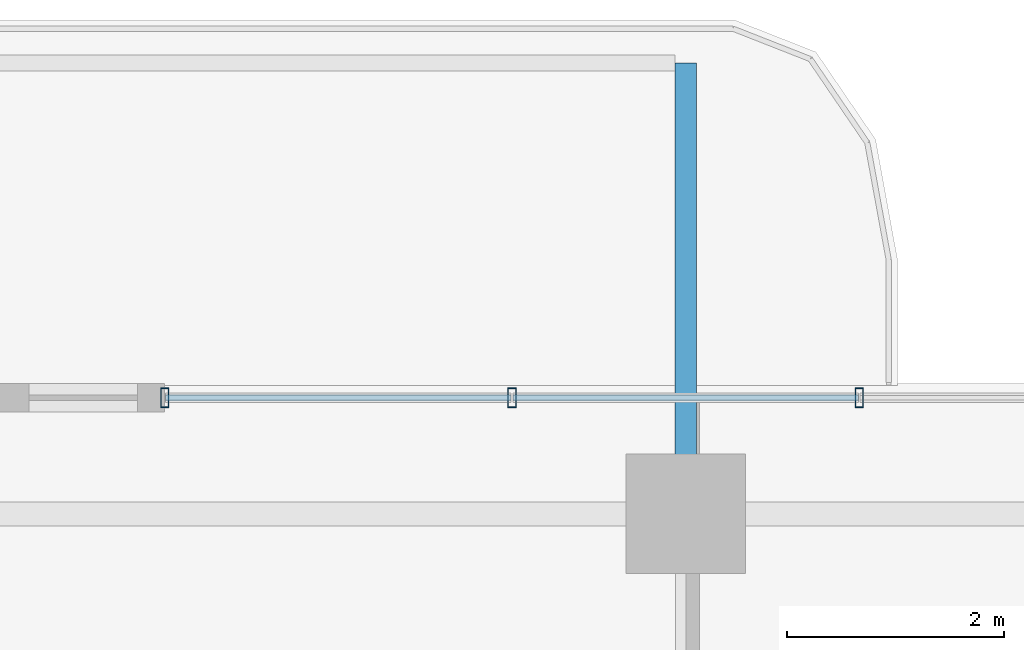
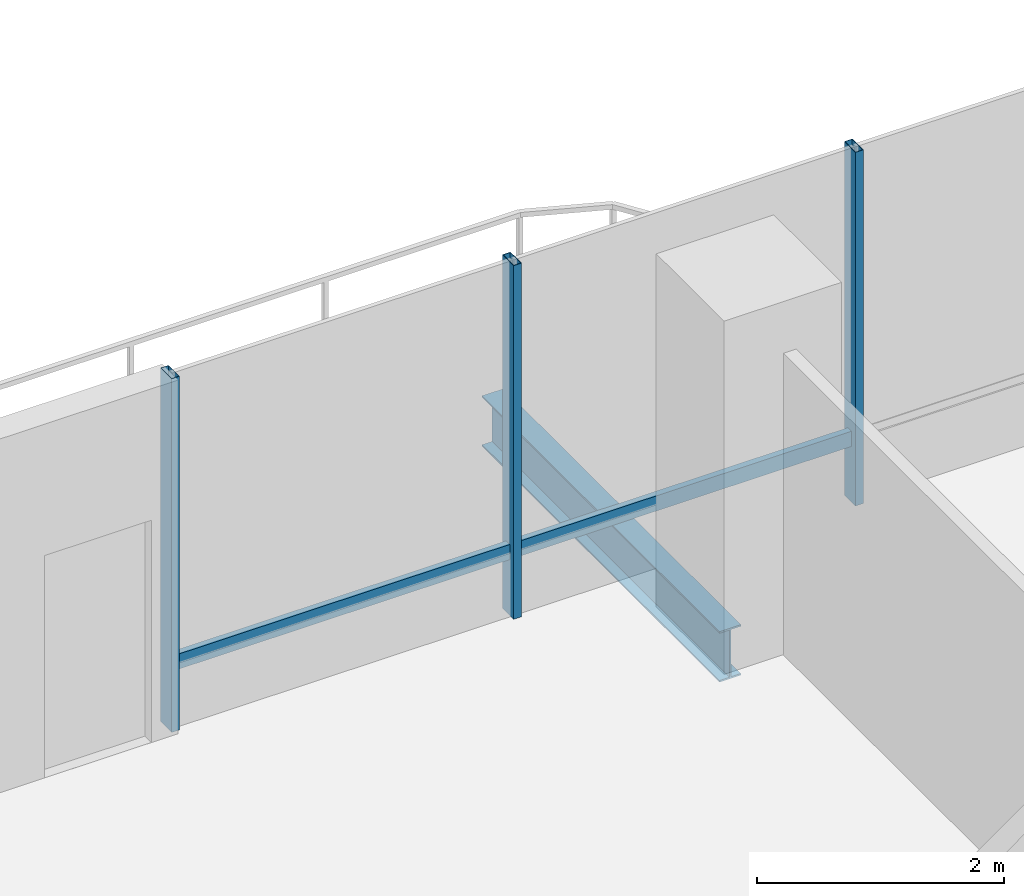
# One storey, part 11 of 24: 5 members, 1 beam, 1 element without a shape of its own.
"""IFC4 building model written with IfcOpenShell, lengths in metres."""

from ifc_helpers import new_model, si_unit, direction, frame, origin, origin_2d, place, context, subcontext, project, spatial, hollow_rectangle, i_section, extrude, material, layer, layer_set, material_profile, profile_set, type_object, element, aggregate, save


model = new_model("IFC4")

# Units and contexts
model_context = context("Model", 3, precision=1e-05, world=origin(), true_north=direction((0.0, 1.0)))
body_context = subcontext(model_context, "Body", "Model", "MODEL_VIEW")
ifc_project = project(units=[si_unit("LENGTHUNIT", "METRE"), si_unit("AREAUNIT", "SQUARE_METRE"), si_unit("VOLUMEUNIT", "CUBIC_METRE"), si_unit("PLANEANGLEUNIT", "RADIAN"), si_unit("MASSUNIT", "GRAM", prefix="KILO")], contexts=[model_context])

# Site, building, storey
site_placement = place(None, origin())
site = spatial("IfcSite", under=ifc_project, at=site_placement, CompositionType="ELEMENT")
building_placement = place(site_placement, origin())
building = spatial("IfcBuilding", under=site, at=building_placement, Name="Belovzor Exchange Tower", CompositionType="ELEMENT")
storey_placement = place(building_placement, frame((0.0, 0.0, 226.199951171875)))
storey = spatial("IfcBuildingStorey", under=building, at=storey_placement, Name="L56", CompositionType="ELEMENT", Elevation=226.199951171875)

# Beam
ifc_material_1 = material(Name="Steel S355", Category="steel")
ifc_material_profile_1 = material_profile(ifc_material_1, i_section(OverallWidth=0.199951171875, OverallDepth=0.5, WebThickness=0.01025390625, FlangeThickness=0.01611328125, at=origin_2d()))
ifc_profile_set_1 = profile_set([ifc_material_profile_1], Name="Steel S355")
beam_type = type_object("IfcBeamType", Name="Planted Balcony Cantilever Beam IPE 500", PredefinedType="BEAM", material=ifc_profile_set_1)
beam_placement = place(storey_placement, frame((28.800048828125, 54.903076171875, -0.5), z_axis=(0.0, 1.0, 0.0), x_axis=(-1.0, 0.0, 0.0)))
element("IfcBeam", 1, at=beam_placement, inside=storey, type_object=beam_type, Name="BC-500 Planted Balcony Cantilever Beam IPE 500", PredefinedType="BEAM", context=body_context, shape_type="SweptSolid", body=[
    extrude(i_section(OverallWidth=0.199951171875, OverallDepth=0.5, WebThickness=0.01025390625, FlangeThickness=0.01611328125, at=origin_2d()), origin(), (0.0, 0.0, 1.0), 3.849853515625),
])

# Curtain wall, members
ifc_material_2 = material(Name="Anodised Aluminium Framing", Category="aluminium")
ifc_layer = layer(ifc_material_2, 0.179931640625)
ifc_layer_set = layer_set([ifc_layer], Name="Anodised Aluminium Framing")
curtain_wall_type = type_object("IfcCurtainWallType", Name="Recessed Loggia Low-Iron Triple-Glazed Curtain Wall", PredefinedType="NOTDEFINED", material=ifc_layer_set)
curtain_wall_placement = place(storey_placement, origin())
curtain_wall = element("IfcCurtainWall", 2, at=curtain_wall_placement, inside=storey, type_object=curtain_wall_type, Name="CW3 Recessed Loggia Low-Iron Triple-Glazed Curtain Wall L56", PredefinedType="NOTDEFINED")
ifc_material_3 = material(Name="Steel S355", Category="steel")
ifc_material_profile_2 = material_profile(ifc_material_3, hollow_rectangle(XDim=0.074951171875, YDim=0.179931640625, WallThickness=0.0048828125, at=origin_2d()))
ifc_profile_set_2 = profile_set([ifc_material_profile_2], Name="Steel S355")
member_type_1 = type_object("IfcMemberType", Name="Thermally Broken Curtain Wall Mullion 180x75", PredefinedType="MULLION", material=ifc_profile_set_2)
member_1_placement = place(storey_placement, frame((24.0, 55.669921875, 0.0), z_axis=(0.0, 0.0, 1.0), x_axis=(1.0, 0.0, 0.0)))
member_1 = element("IfcMember", 3, at=member_1_placement, type_object=member_type_1, Name="CW-M180 Curtain Wall Mullion 1", PredefinedType="MULLION", context=body_context, shape_type="SweptSolid", body=[
    extrude(hollow_rectangle(XDim=0.074951171875, YDim=0.179931640625, WallThickness=0.0048828125, at=origin_2d()), origin(), (0.0, 0.0, 1.0), 3.5),
])
member_2_placement = place(storey_placement, frame((27.199951171875, 55.669921875, 0.0), z_axis=(0.0, 0.0, 1.0), x_axis=(1.0, 0.0, 0.0)))
member_2 = element("IfcMember", 4, at=member_2_placement, type_object=member_type_1, Name="CW-M180 Curtain Wall Mullion 2", PredefinedType="MULLION", context=body_context, shape_type="SweptSolid", body=[
    extrude(hollow_rectangle(XDim=0.074951171875, YDim=0.179931640625, WallThickness=0.0048828125, at=origin_2d()), origin(), (0.0, 0.0, 1.0), 3.5),
])
member_3_placement = place(storey_placement, frame((30.39990234375, 55.669921875, 0.0), z_axis=(0.0, 0.0, 1.0), x_axis=(1.0, 0.0, 0.0)))
member_3 = element("IfcMember", 5, at=member_3_placement, type_object=member_type_1, Name="CW-M180 Curtain Wall Mullion 3", PredefinedType="MULLION", context=body_context, shape_type="SweptSolid", body=[
    extrude(hollow_rectangle(XDim=0.074951171875, YDim=0.179931640625, WallThickness=0.0048828125, at=origin_2d()), origin(), (0.0, 0.0, 1.0), 3.5),
])
ifc_material_4 = material(Name="Steel S355", Category="steel")
ifc_material_profile_3 = material_profile(ifc_material_4, hollow_rectangle(XDim=0.06005859375, YDim=0.14990234375, WallThickness=0.00390625, at=origin_2d()))
ifc_profile_set_3 = profile_set([ifc_material_profile_3], Name="Steel S355")
member_type_2 = type_object("IfcMemberType", Name="Thermally Broken Curtain Wall Transom 150x60", PredefinedType="USERDEFINED", material=ifc_profile_set_3)
member_4_placement = place(storey_placement, frame((24.008056640625, 55.669921875, 0.630126953125), z_axis=(1.0, 0.0, 0.0), x_axis=(0.0, 1.0, 0.0)))
member_4 = element("IfcMember", 6, at=member_4_placement, type_object=member_type_2, Name="CW-T150 Curtain Wall Transom 1", ObjectType="TRANSOM", PredefinedType="USERDEFINED", context=body_context, shape_type="SweptSolid", body=[
    extrude(hollow_rectangle(XDim=0.06005859375, YDim=0.14990234375, WallThickness=0.00390625, at=origin_2d()), origin(), (0.0, 0.0, 1.0), 3.183837890625),
])
member_5_placement = place(storey_placement, frame((27.2080078125, 55.669921875, 0.630126953125), z_axis=(1.0, 0.0, 0.0), x_axis=(0.0, 1.0, 0.0)))
member_5 = element("IfcMember", 7, at=member_5_placement, type_object=member_type_2, Name="CW-T150 Curtain Wall Transom 2", ObjectType="TRANSOM", PredefinedType="USERDEFINED", context=body_context, shape_type="SweptSolid", body=[
    extrude(hollow_rectangle(XDim=0.06005859375, YDim=0.14990234375, WallThickness=0.00390625, at=origin_2d()), origin(), (0.0, 0.0, 1.0), 3.18408203125),
])
aggregate(curtain_wall, [member_1, member_2, member_3, member_4, member_5])

save(model, "model.ifc")
